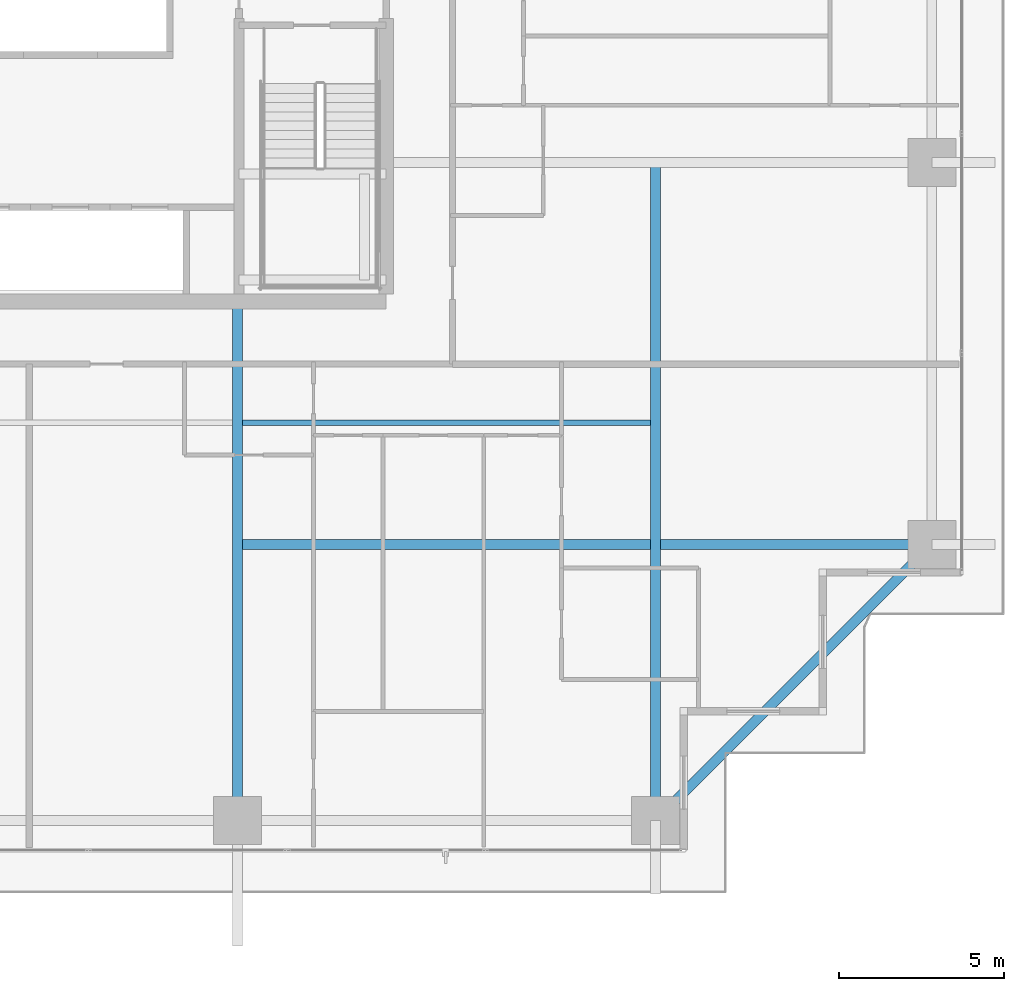
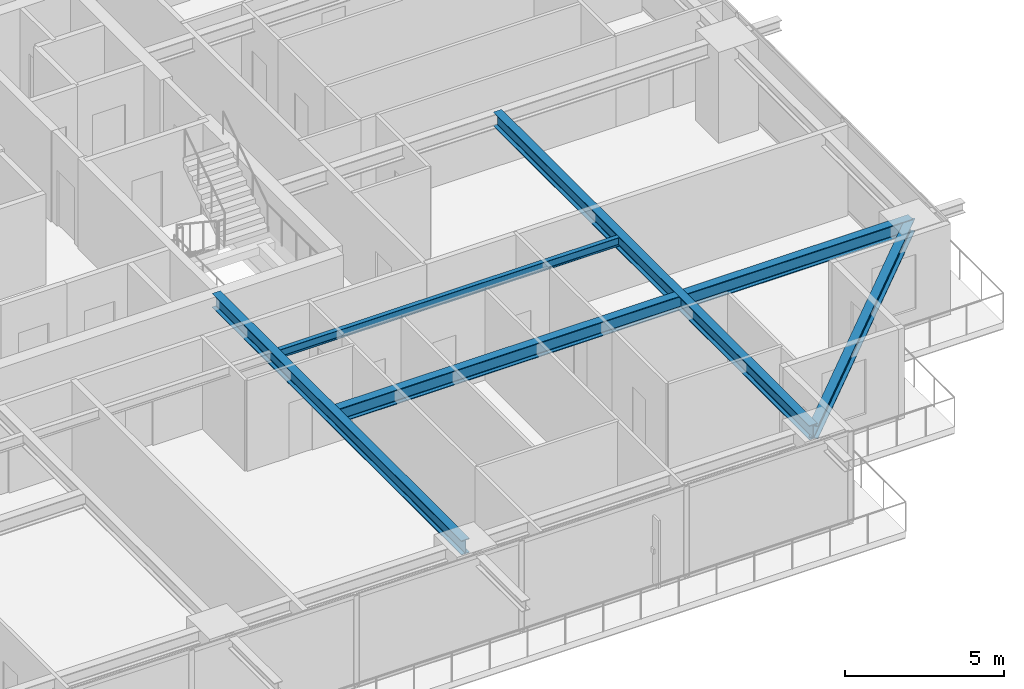
# One storey, part 11 of 36: 5 beams.
"""IFC4 building model written with IfcOpenShell, lengths in metres."""

import ifcopenshell
import ifcopenshell.guid

model = None  # the IFC model being written
_history = None  # IfcOwnerHistory: only IFC2X3 demands one
_inside = {}  # id of a spatial element -> (the spatial element, [elements in it])
_under = {}  # id of a project, library or spatial element -> (it, [spatial elements below it])
_declared = {}  # id of a project -> (the project, [libraries it declares])
_typed = {}  # id of a type object -> (the type object, [elements of that type])
_made_of = {}  # id of a material, layer set ... -> (it, [elements and type objects made of it])


def new_model(schema):
    """Start an empty IFC model of exactly this schema.

    Asked for "IFC4X3", IfcOpenShell would pick the latest addendum, in which some entities
    have other attributes; the version numbers below select the first issue.
    IFC2X3 requires an IfcOwnerHistory on every rooted entity: one is made here for all.
    """
    global model, _history
    if schema == "IFC4X3":
        model = ifcopenshell.file(schema_version=(4, 3, 0, 0))
    else:
        model = ifcopenshell.file(schema=schema)
    _inside.clear()
    _under.clear()
    _declared.clear()
    _typed.clear()
    _made_of.clear()
    _history = None
    if model.schema == "IFC2X3":
        org = make("IfcOrganization", Name="unknown")
        user = make(
            "IfcPersonAndOrganization",
            ThePerson=make("IfcPerson", FamilyName="unknown"),
            TheOrganization=org,
        )
        app = make(
            "IfcApplication",
            ApplicationDeveloper=org,
            Version="unknown",
            ApplicationFullName="unknown",
            ApplicationIdentifier="unknown",
        )
        _history = make(
            "IfcOwnerHistory",
            OwningUser=user,
            OwningApplication=app,
            ChangeAction="ADDED",
            CreationDate=0,
        )
    return model


def make(cls, **values):
    """One entity of the class cls with the attributes given. An attribute that is None is left unset."""
    return model.create_entity(
        cls, **{name: value for name, value in values.items() if value is not None}
    )


def rooted(cls, **values):
    """An entity with a GlobalId (a new one), such as an element, a storey or a relation."""
    return make(cls, GlobalId=ifcopenshell.guid.new(), OwnerHistory=_history, **values)


def si_unit(unit_type, name, prefix=None):
    """IfcSIUnit, for example si_unit("LENGTHUNIT", "METRE", prefix="MILLI")."""
    return make("IfcSIUnit", UnitType=unit_type, Prefix=prefix, Name=name)


def assignment(units):
    """IfcUnitAssignment: the units of a project."""
    return None if units is None else make("IfcUnitAssignment", Units=units)


def point(xyz):
    """IfcCartesianPoint."""
    return None if xyz is None else make("IfcCartesianPoint", Coordinates=xyz)


def direction(xyz):
    """IfcDirection."""
    return None if xyz is None else make("IfcDirection", DirectionRatios=xyz)


def frame(location, z_axis=None, x_axis=None):
    """IfcAxis2Placement3D, a coordinate frame: its origin and axes. An axis left out is left unset."""
    return make(
        "IfcAxis2Placement3D",
        Location=point(location),
        Axis=direction(z_axis),
        RefDirection=direction(x_axis),
    )


def frame_2d(location, x_axis=None):
    """IfcAxis2Placement2D, a coordinate frame in the plane: its origin and x axis."""
    return make(
        "IfcAxis2Placement2D", Location=point(location), RefDirection=direction(x_axis)
    )


def origin():
    """The frame at (0, 0, 0) with its axes left unset."""
    return frame((0.0, 0.0, 0.0))


def origin_2d():
    """The frame at (0, 0) in the plane with its x axis left unset."""
    return frame_2d((0.0, 0.0))


def place(relative_to, where):
    """IfcLocalPlacement: puts the frame where relative to a parent placement (None: the world)."""
    return make(
        "IfcLocalPlacement", PlacementRelTo=relative_to, RelativePlacement=where
    )


def context(
    kind, dimensions, precision=None, world=None, true_north=None, identifier=None
):
    """IfcGeometricRepresentationContext, for example the 3D "Model" context."""
    return make(
        "IfcGeometricRepresentationContext",
        ContextIdentifier=identifier,
        ContextType=kind,
        CoordinateSpaceDimension=dimensions,
        Precision=precision,
        WorldCoordinateSystem=world,
        TrueNorth=true_north,
    )


def subcontext(parent, identifier, kind, view, scale=None):
    """IfcGeometricRepresentationSubContext, for example "Body" below "Model"."""
    return make(
        "IfcGeometricRepresentationSubContext",
        ContextIdentifier=identifier,
        ContextType=kind,
        ParentContext=parent,
        TargetScale=scale,
        TargetView=view,
    )


def project(units=None, contexts=None):
    """IfcProject with its units and contexts."""
    return rooted(
        "IfcProject",
        Name="project",
        RepresentationContexts=contexts,
        UnitsInContext=assignment(units),
    )


def spatial(cls, under=None, at=None, **own):
    """A site, building, storey or space (cls), placed at a placement, below another one or the project."""
    s = rooted(cls, ObjectPlacement=at, **own)
    if under is not None:
        _under.setdefault(under.id(), (under, []))[1].append(s)
    return s


def profile(cls, at=None, kind="AREA", **sizes):
    """A parametric profile (cls). Its sizes go by their IFC names, for example OverallWidth=200.0."""
    return make(cls, ProfileType=kind, Position=at, **sizes)


def i_section(**sizes):
    """IfcIShapeProfileDef."""
    return profile("IfcIShapeProfileDef", **sizes)


def extrude(swept, where, along, depth):
    """IfcExtrudedAreaSolid: the profile swept, set in the frame where, extruded along a direction by depth."""
    return make(
        "IfcExtrudedAreaSolid",
        SweptArea=swept,
        Position=where,
        ExtrudedDirection=direction(along),
        Depth=depth,
    )


def shape(context_of_items, identifier, shape_type, items):
    """IfcShapeRepresentation: the items that make up one representation, for example the "Body"."""
    return make(
        "IfcShapeRepresentation",
        ContextOfItems=context_of_items,
        RepresentationIdentifier=identifier,
        RepresentationType=shape_type,
        Items=items,
    )


def source(mapping_origin, context_of_items, identifier, shape_type, items):
    """IfcRepresentationMap: a shape defined once, which mapped items show again and again."""
    return make(
        "IfcRepresentationMap",
        MappingOrigin=mapping_origin,
        MappedRepresentation=shape(context_of_items, identifier, shape_type, items),
    )


def transform(
    local_origin,
    x_axis=None,
    y_axis=None,
    z_axis=None,
    scale=None,
    scale2=None,
    scale3=None,
    uniform=True,
):
    """IfcCartesianTransformationOperator3D, or its non-uniform kind. x_axis, y_axis, z_axis: its Axis1, 2, 3."""
    if uniform:
        return make(
            "IfcCartesianTransformationOperator3D",
            Axis1=direction(x_axis),
            Axis2=direction(y_axis),
            LocalOrigin=point(local_origin),
            Scale=scale,
            Axis3=direction(z_axis),
        )
    return make(
        "IfcCartesianTransformationOperator3DnonUniform",
        Axis1=direction(x_axis),
        Axis2=direction(y_axis),
        LocalOrigin=point(local_origin),
        Scale=scale,
        Axis3=direction(z_axis),
        Scale2=scale2,
        Scale3=scale3,
    )


def mapped(mapping_source, mapping_target):
    """IfcMappedItem: shows the shape of a source again, moved by a transform."""
    return make(
        "IfcMappedItem", MappingSource=mapping_source, MappingTarget=mapping_target
    )


def material(Name=None, Category=None):
    """IfcMaterial."""
    return make("IfcMaterial", Name=Name, Category=Category)


def material_profile(
    of_material, cross_section, Name=None, Category=None, Priority=None
):
    """IfcMaterialProfile: a cross section and its material."""
    return make(
        "IfcMaterialProfile",
        Name=Name,
        Material=of_material,
        Profile=cross_section,
        Priority=Priority,
        Category=Category,
    )


def profile_set(profiles, Name=None, composite=None):
    """IfcMaterialProfileSet."""
    return make(
        "IfcMaterialProfileSet",
        Name=Name,
        MaterialProfiles=profiles,
        CompositeProfile=composite,
    )


def made_of(thing, what):
    """Note that an element or type object is made of a material, layer set ...; save() writes the relation."""
    if what is not None:
        _made_of.setdefault(what.id(), (what, []))[1].append(thing)
    return thing


def type_object(cls, material=None, **own):
    """A type object (cls), such as IfcWallType, which elements share."""
    return made_of(rooted(cls, **own), material)


def element(
    cls,
    number,
    at=None,
    inside=None,
    cuts=None,
    type_object=None,
    material=None,
    context=None,
    identifier="Body",
    shape_type=None,
    held_by="IfcProductDefinitionShape",
    body=None,
    shapes=None,
    **own,
):
    """One element of the class cls, such as IfcWall. Its Tag is "e" and its number.

    at: its placement. inside: the storey or other place that contains it. cuts: it is an
    opening in that element (IfcRelVoidsElement). A single representation is given by context,
    identifier, shape_type and body (its items); several are given by shapes. held_by: the class
    of the entity that holds the representations. save() writes the other relations.
    """
    e = rooted(cls, Tag="e%d" % number, ObjectPlacement=at, **own)
    if body is not None:
        shapes = [shape(context, identifier, shape_type, body)]
    if shapes is not None:
        e.Representation = make(held_by, Representations=shapes)
    if inside is not None:
        _inside.setdefault(inside.id(), (inside, []))[1].append(e)
    if cuts is not None:
        rooted(
            "IfcRelVoidsElement", RelatingBuildingElement=cuts, RelatedOpeningElement=e
        )
    if type_object is not None:
        _typed.setdefault(type_object.id(), (type_object, []))[1].append(e)
    return made_of(e, material)


def aggregate(whole, parts):
    """IfcRelAggregates: a whole, such as a stair, and the parts it consists of."""
    return rooted("IfcRelAggregates", RelatingObject=whole, RelatedObjects=parts)


def save(model, path):
    """Write the relations noted so far, then the file.

    IfcRelAggregates (storeys below a building ...), IfcRelContainedInSpatialStructure (elements
    in a storey), IfcRelDefinesByType, IfcRelAssociatesMaterial and IfcRelDeclares: one each for
    every whole, place, type object, material and project.
    """
    for whole, parts in _under.values():
        aggregate(whole, parts)
    for where, things in _inside.values():
        rooted(
            "IfcRelContainedInSpatialStructure",
            RelatedElements=things,
            RelatingStructure=where,
        )
    for kind, things in _typed.values():
        rooted("IfcRelDefinesByType", RelatedObjects=things, RelatingType=kind)
    for what, things in _made_of.values():
        rooted("IfcRelAssociatesMaterial", RelatedObjects=things, RelatingMaterial=what)
    for by, libraries in _declared.values():
        rooted("IfcRelDeclares", RelatingContext=by, RelatedDefinitions=libraries)
    model.write(path)


model = new_model("IFC4")

# Units and contexts
model_context = context("Model", 3, precision=1e-05, world=origin(), true_north=direction((0.0, 1.0)))
body_context = subcontext(model_context, "Body", "Model", "MODEL_VIEW")
ifc_project = project(units=[si_unit("LENGTHUNIT", "METRE"), si_unit("AREAUNIT", "SQUARE_METRE"), si_unit("VOLUMEUNIT", "CUBIC_METRE"), si_unit("PLANEANGLEUNIT", "RADIAN"), si_unit("MASSUNIT", "GRAM", prefix="KILO")], contexts=[model_context])

# Site, building, storey
site_placement = place(None, origin())
site = spatial("IfcSite", under=ifc_project, at=site_placement, CompositionType="ELEMENT")
building_placement = place(site_placement, origin())
building = spatial("IfcBuilding", under=site, at=building_placement, Name="Serunith Strait Residences", CompositionType="ELEMENT")
storey_placement = place(building_placement, frame((0.0, 0.0, 41.699951171875)))
storey = spatial("IfcBuildingStorey", under=building, at=storey_placement, Name="L09", CompositionType="ELEMENT", Elevation=41.699951171875)

# Beams
ifc_material = material(Name="Steel S355J2", Category="steel")
ifc_material_profile_1 = material_profile(ifc_material, i_section(OverallWidth=0.300048828125, OverallDepth=0.550048828125, WebThickness=0.014892578125, FlangeThickness=0.029052734375, FilletRadius=0.027099609375, at=origin_2d()), Name="HEB 550")
ifc_profile_set_1 = profile_set([ifc_material_profile_1], Name="Steel S355J2")
beam_type_1 = type_object("IfcBeamType", Name="BM-HEB550", PredefinedType="BEAM", material=ifc_profile_set_1)
shared_shape_1 = source(origin(), body_context, "Body", "SweptSolid", [
    extrude(i_section(OverallWidth=0.300048828125, OverallDepth=0.550048828125, WebThickness=0.014892578125, FlangeThickness=0.029052734375, FilletRadius=0.027099609375, at=origin_2d()), origin(), (0.0, 0.0, 1.0), 15.699951171875),
])
beam_1_placement = place(storey_placement, frame((36.89990234375, 16.800048828125, 3.212158203125), z_axis=(0.0, -1.0, 0.0), x_axis=(1.0, 0.0, 0.0)))
element("IfcBeam", 1, at=beam_1_placement, inside=storey, type_object=beam_type_1, Name="L09 Primary Floor Girder TC-S3", PredefinedType="BEAM", context=body_context, shape_type="MappedRepresentation", body=[
    mapped(shared_shape_1, transform((0.0, 0.0, 0.0), scale=1.0)),
])
shared_shape_2 = source(origin(), body_context, "Body", "SweptSolid", [
    extrude(i_section(OverallWidth=0.300048828125, OverallDepth=0.550048828125, WebThickness=0.014892578125, FlangeThickness=0.029052734375, FilletRadius=0.027099609375, at=origin_2d()), origin(), (0.0, 0.0, 1.0), 19.89990234375),
])
beam_2_placement = place(storey_placement, frame((49.550048828125, 21.0, 3.212158203125), z_axis=(0.0, -1.0, 0.0), x_axis=(1.0, 0.0, 0.0)))
element("IfcBeam", 2, at=beam_2_placement, inside=storey, type_object=beam_type_1, Name="L09 Orthogonal Corner Girder TC-S4", PredefinedType="BEAM", context=body_context, shape_type="MappedRepresentation", body=[
    mapped(shared_shape_2, transform((0.0, 0.0, 0.0), scale=1.0)),
])
shared_shape_3 = source(origin(), body_context, "Body", "SweptSolid", [
    extrude(i_section(OverallWidth=0.300048828125, OverallDepth=0.550048828125, WebThickness=0.014892578125, FlangeThickness=0.029052734375, FilletRadius=0.027099609375, at=origin_2d()), origin(), (0.0, 0.0, 1.0), 21.0),
])
beam_3_placement = place(storey_placement, frame((36.89990234375, 9.449951171875, 3.212158203125), z_axis=(1.0, 0.0, 0.0), x_axis=(0.0, 1.0, 0.0)))
element("IfcBeam", 3, at=beam_3_placement, inside=storey, type_object=beam_type_1, Name="L09 Orthogonal Corner Girder TC-E1", PredefinedType="BEAM", context=body_context, shape_type="MappedRepresentation", body=[
    mapped(shared_shape_3, transform((0.0, 0.0, 0.0), scale=1.0)),
])
ifc_material_profile_2 = material_profile(ifc_material, i_section(OverallWidth=0.300048828125, OverallDepth=0.5, WebThickness=0.014404296875, FlangeThickness=0.028076171875, FilletRadius=0.027099609375, at=origin_2d()), Name="HEB 500")
ifc_profile_set_2 = profile_set([ifc_material_profile_2], Name="Steel S355J2")
beam_type_2 = type_object("IfcBeamType", Name="BM-HEB500", PredefinedType="BEAM", material=ifc_profile_set_2)
shared_shape_4 = source(origin(), body_context, "Body", "SweptSolid", [
    extrude(i_section(OverallWidth=0.300048828125, OverallDepth=0.5, WebThickness=0.014404296875, FlangeThickness=0.028076171875, FilletRadius=0.027099609375, at=origin_2d()), origin(), (0.0, 0.0, 1.0), 11.80859375),
])
beam_4_placement = place(storey_placement, frame((49.550048828125, 1.10009765625, 3.20703125), z_axis=(0.707106781187, 0.707106781187, 0.0), x_axis=(-0.707106781187, 0.707106781187, 0.0)))
element("IfcBeam", 4, at=beam_4_placement, inside=storey, type_object=beam_type_2, Name="L09 Perimeter Ring Beam 04", PredefinedType="BEAM", context=body_context, shape_type="MappedRepresentation", body=[
    mapped(shared_shape_4, transform((0.0, 0.0, 0.0), scale=1.0)),
])
ifc_material_profile_3 = material_profile(ifc_material, i_section(OverallWidth=0.159912109375, OverallDepth=0.330078125, WebThickness=0.007568359375, FlangeThickness=0.011474609375, FilletRadius=0.01806640625, at=origin_2d()), Name="IPE 330")
ifc_profile_set_3 = profile_set([ifc_material_profile_3], Name="Steel S355J2")
beam_type_3 = type_object("IfcBeamType", Name="BM-IPE330", PredefinedType="JOIST", material=ifc_profile_set_3)
shared_shape_5 = source(origin(), body_context, "Body", "SweptSolid", [
    extrude(i_section(OverallWidth=0.159912109375, OverallDepth=0.330078125, WebThickness=0.007568359375, FlangeThickness=0.011474609375, FilletRadius=0.01806640625, at=origin_2d()), origin(), (0.0, 0.0, 1.0), 12.349853515625),
])
beam_5_placement = place(storey_placement, frame((37.050048828125, 13.125, 3.322021484375), z_axis=(1.0, 0.0, 0.0), x_axis=(0.0, 1.0, 0.0)))
element("IfcBeam", 5, at=beam_5_placement, inside=storey, type_object=beam_type_3, Name="L09 Composite Floor Joist 03", PredefinedType="JOIST", context=body_context, shape_type="MappedRepresentation", body=[
    mapped(shared_shape_5, transform((0.0, 0.0, 0.0), scale=1.0)),
])

save(model, "model.ifc")
